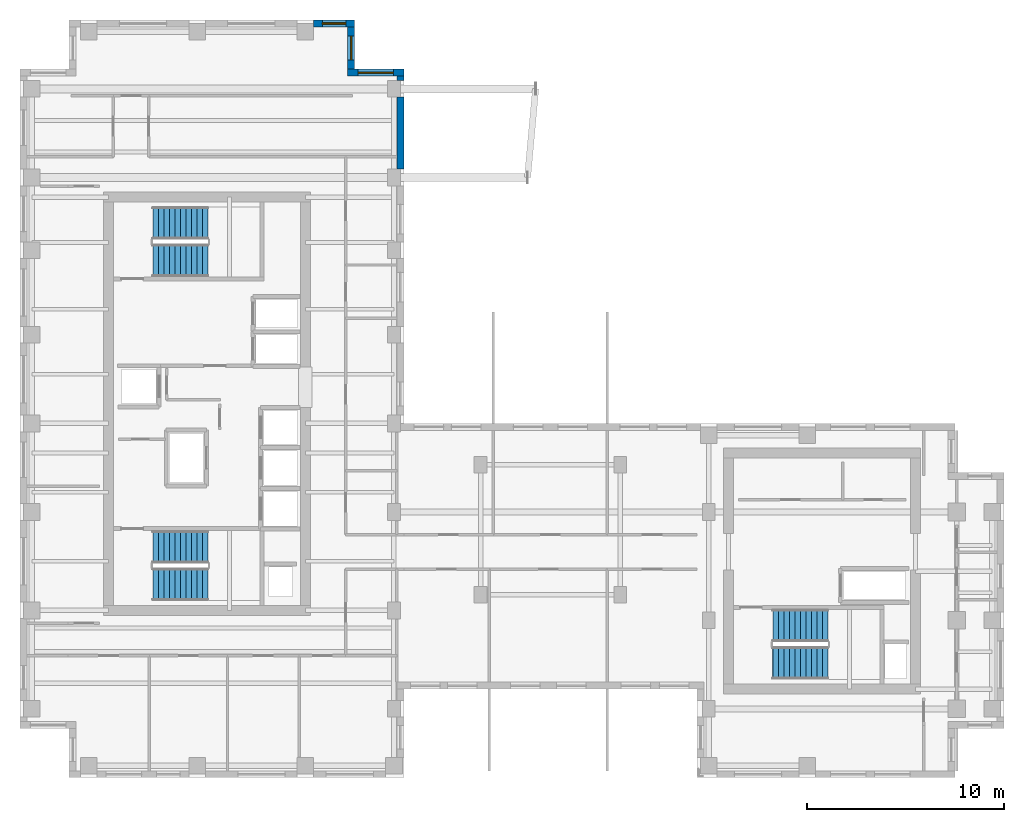
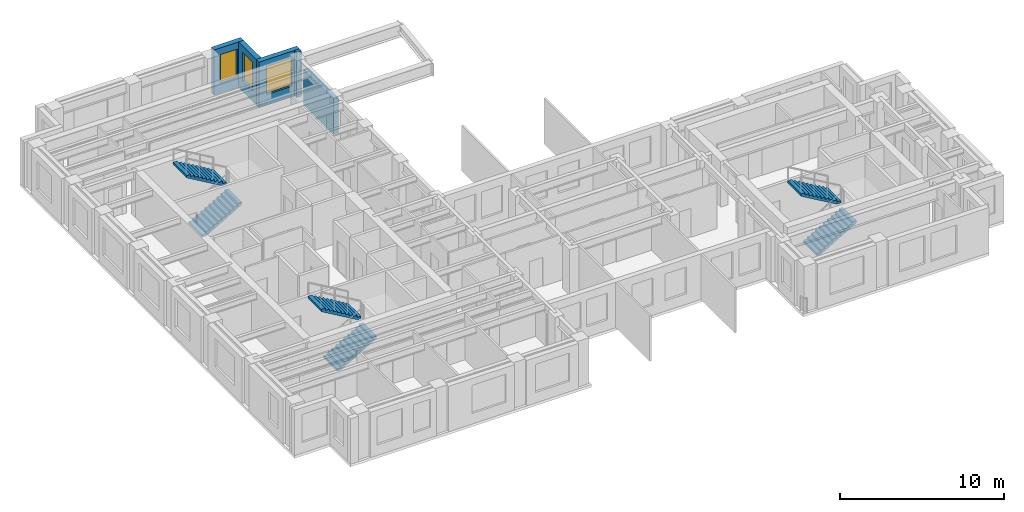
# One storey, part 9 of 11: 6 stair flights, 5 walls, 3 windows, 3 openings, 3 elements without a shape of their own.
"""IFC4 building model written with IfcOpenShell, lengths in metres."""

from ifc_helpers import new_model, si_unit, direction, frame, frame_2d, origin, place, context, subcontext, project, spatial, polyline, rectangle, outline, extrude, source, transform, mapped, material, layer, layer_set, type_object, element, fill, aggregate, save


model = new_model("IFC4")

# Units and contexts
model_context = context("Model", 3, precision=1e-05, world=origin(), true_north=direction((0.0, 1.0)))
body_context = subcontext(model_context, "Body", "Model", "MODEL_VIEW")
ifc_project = project(units=[si_unit("LENGTHUNIT", "METRE"), si_unit("AREAUNIT", "SQUARE_METRE"), si_unit("VOLUMEUNIT", "CUBIC_METRE"), si_unit("PLANEANGLEUNIT", "RADIAN"), si_unit("MASSUNIT", "GRAM", prefix="KILO")], contexts=[model_context])

# Site, building, storey
site_placement = place(None, origin())
site = spatial("IfcSite", under=ifc_project, at=site_placement, CompositionType="ELEMENT")
building_placement = place(site_placement, origin())
building = spatial("IfcBuilding", under=site, at=building_placement, Name="Kharzan Plaza Tower", CompositionType="ELEMENT")
storey_placement = place(building_placement, frame((0.0, 0.0, 219.60009765625)))
storey = spatial("IfcBuildingStorey", under=building, at=storey_placement, Name="L59", CompositionType="ELEMENT", Elevation=219.60009765625)

# Wall, opening, window
ifc_material_1 = material(Name="Concrete C40/50", Category="concrete")
ifc_layer = layer(ifc_material_1, 0.35009765625)
ifc_layer_set = layer_set([ifc_layer], Name="Concrete C40/50")
wall_type = type_object("IfcWallType", Name="WL-EXT-MAS-Z4", PredefinedType="SOLIDWALL", material=ifc_layer_set)
wall_1_placement = place(storey_placement, frame((19.5, 35.824951171875, 0.0), z_axis=(0.0, 0.0, 1.0), x_axis=(-1.0, 0.0, 0.0)))
wall_1 = element("IfcWall", 1, at=wall_1_placement, inside=storey, type_object=wall_type, Name="L59 Masonry-Frame Exterior Wall 01", PredefinedType="SOLIDWALL", context=body_context, shape_type="SweptSolid", body=[
    extrude(rectangle(XDim=2.85009765625, YDim=0.35009765625, at=frame_2d((1.425048828125, 0.0))), origin(), (0.0, 0.0, 1.0), 3.385009765625),
])
opening_1_placement = place(wall_1_placement, frame((0.52490234375, 0.0, 0.780029296875)))
opening_1 = element("IfcOpeningElement", 2, at=opening_1_placement, cuts=wall_1, Name="Opening W1", PredefinedType="OPENING", context=body_context, shape_type="SweptSolid", body=[
    extrude(rectangle(XDim=1.800048828125, YDim=2.10009765625, at=frame_2d((0.89990234375, 1.050048828125))), frame((0.0, 0.18505859375, 0.0), z_axis=(0.0, -1.0, 0.0), x_axis=(1.0, 0.0, 0.0)), (0.0, 0.0, 1.0), 0.3701171875),
])
ifc_material_2 = material(Name="Low-E Double Glazing", Category="glass")
window_type_1 = type_object("IfcWindowType", Name="WN-REC-1800x2100", PartitioningType="SINGLE_PANEL", PredefinedType="WINDOW", material=ifc_material_2)
shared_shape_1 = source(origin(), body_context, "Body", "SweptSolid", [
    extrude(rectangle(XDim=1.800048828125, YDim=2.10009765625, at=frame_2d((0.89990234375, 1.050048828125))), frame((0.0, 0.030029296875, 0.0), z_axis=(0.0, -1.0, 0.0), x_axis=(1.0, 0.0, 0.0)), (0.0, 0.0, 1.0), 0.06005859375),
])
window_1_placement = place(opening_1_placement, origin())
window_1 = element("IfcWindow", 3, at=window_1_placement, inside=storey, type_object=window_type_1, Name="L59 Recessed Solar-Control Window 01-1", OverallHeight=2.10009765625, OverallWidth=1.800048828125, PartitioningType="SINGLE_PANEL", PredefinedType="WINDOW", context=body_context, shape_type="MappedRepresentation", body=[
    mapped(shared_shape_1, transform((0.0, 0.0, 0.0), x_axis=(1.0, 0.0, 0.0), y_axis=(0.0, 1.0, 0.0), z_axis=(0.0, 0.0, 1.0))),
])
fill(opening_1, window_1)

wall_2_placement = place(storey_placement, frame((16.824951171875, 35.998046875, 0.0), z_axis=(0.0, 0.0, 1.0), x_axis=(0.0, 1.0, 0.0)))
wall_2 = element("IfcWall", 4, at=wall_2_placement, inside=storey, type_object=wall_type, Name="L59 Masonry-Frame Exterior Wall 02", PredefinedType="SOLIDWALL", context=body_context, shape_type="SweptSolid", body=[
    extrude(rectangle(XDim=2.154052734375, YDim=0.35009765625, at=frame_2d((1.0771484375, 0.0))), origin(), (0.0, 0.0, 1.0), 3.385009765625),
])
opening_2_placement = place(wall_2_placement, frame((0.47705078125, 0.0, 0.780029296875)))
opening_2 = element("IfcOpeningElement", 5, at=opening_2_placement, cuts=wall_2, Name="Opening W3", PredefinedType="OPENING", context=body_context, shape_type="SweptSolid", body=[
    extrude(rectangle(XDim=1.199951171875, YDim=2.10009765625, at=frame_2d((0.60009765625, 1.050048828125))), frame((0.0, 0.18505859375, 0.0), z_axis=(0.0, -1.0, 0.0), x_axis=(1.0, 0.0, 0.0)), (0.0, 0.0, 1.0), 0.3701171875),
])
window_type_2 = type_object("IfcWindowType", Name="WN-REC-1200x2100", PartitioningType="SINGLE_PANEL", PredefinedType="WINDOW", material=ifc_material_2)
shared_shape_2 = source(origin(), body_context, "Body", "SweptSolid", [
    extrude(rectangle(XDim=1.199951171875, YDim=2.10009765625, at=frame_2d((0.60009765625, 1.050048828125))), frame((0.0, 0.030029296875, 0.0), z_axis=(0.0, -1.0, 0.0), x_axis=(1.0, 0.0, 0.0)), (0.0, 0.0, 1.0), 0.06005859375),
])
window_2_placement = place(opening_2_placement, origin())
window_2 = element("IfcWindow", 6, at=window_2_placement, inside=storey, type_object=window_type_2, Name="L59 Recessed Solar-Control Window 02-1", OverallHeight=2.10009765625, OverallWidth=1.199951171875, PartitioningType="SINGLE_PANEL", PredefinedType="WINDOW", context=body_context, shape_type="MappedRepresentation", body=[
    mapped(shared_shape_2, transform((0.0, 0.0, 0.0), x_axis=(1.0, 0.0, 0.0), y_axis=(0.0, 1.0, 0.0), z_axis=(0.0, 0.0, 1.0))),
])
fill(opening_2, window_2)

wall_3_placement = place(storey_placement, frame((17.0, 38.324951171875, 0.0), z_axis=(0.0, 0.0, 1.0), x_axis=(-1.0, 0.0, 0.0)))
wall_3 = element("IfcWall", 7, at=wall_3_placement, inside=storey, type_object=wall_type, Name="L59 Masonry-Frame Exterior Wall 03", PredefinedType="SOLIDWALL", context=body_context, shape_type="SweptSolid", body=[
    extrude(rectangle(XDim=2.076904296875, YDim=0.35009765625, at=frame_2d((1.03857421875, 0.0))), origin(), (0.0, 0.0, 1.0), 3.385009765625),
])
opening_3_placement = place(wall_3_placement, frame((0.4384765625, 0.0, 0.780029296875)))
opening_3 = element("IfcOpeningElement", 8, at=opening_3_placement, cuts=wall_3, Name="Opening W3", PredefinedType="OPENING", context=body_context, shape_type="SweptSolid", body=[
    extrude(rectangle(XDim=1.199951171875, YDim=2.10009765625, at=frame_2d((0.60009765625, 1.050048828125))), frame((0.0, 0.18505859375, 0.0), z_axis=(0.0, -1.0, 0.0), x_axis=(1.0, 0.0, 0.0)), (0.0, 0.0, 1.0), 0.3701171875),
])
window_3_placement = place(opening_3_placement, origin())
window_3 = element("IfcWindow", 9, at=window_3_placement, inside=storey, type_object=window_type_2, Name="L59 Recessed Solar-Control Window 03-1", OverallHeight=2.10009765625, OverallWidth=1.199951171875, PartitioningType="SINGLE_PANEL", PredefinedType="WINDOW", context=body_context, shape_type="MappedRepresentation", body=[
    mapped(shared_shape_2, transform((0.0, 0.0, 0.0), x_axis=(1.0, 0.0, 0.0), y_axis=(0.0, 1.0, 0.0), z_axis=(0.0, 0.0, 1.0))),
])
fill(opening_3, window_3)

# Walls
shared_shape_3 = source(origin(), body_context, "Body", "SweptSolid", [
    extrude(rectangle(XDim=0.22900390625, YDim=0.35009765625, at=frame_2d((0.114501953125, 0.0))), origin(), (0.0, 0.0, 1.0), 3.385009765625),
])
wall_4_placement = place(storey_placement, frame((19.324951171875, 35.423095703125, 0.0), z_axis=(0.0, 0.0, 1.0), x_axis=(0.0, 1.0, 0.0)))
element("IfcWall", 10, at=wall_4_placement, inside=storey, type_object=wall_type, Name="L59 Masonry-Frame Exterior Wall 46", PredefinedType="SOLIDWALL", context=body_context, shape_type="MappedRepresentation", body=[
    mapped(shared_shape_3, transform((0.0, 0.0, 0.0), x_axis=(1.0, 0.0, 0.0), y_axis=(0.0, 1.0, 0.0), z_axis=(0.0, 0.0, 1.0))),
])
shared_shape_4 = source(origin(), body_context, "Body", "SweptSolid", [
    extrude(rectangle(XDim=3.65380859375, YDim=0.35009765625, at=frame_2d((1.826904296875, 0.0))), origin(), (0.0, 0.0, 1.0), 2.618896484375),
])
wall_5_placement = place(storey_placement, frame((19.324951171875, 30.923095703125, 0.0), z_axis=(0.0, 0.0, 1.0), x_axis=(0.0, 1.0, 0.0)))
element("IfcWall", 11, at=wall_5_placement, inside=storey, type_object=wall_type, Name="L59 Masonry-Frame Exterior Wall 45", PredefinedType="SOLIDWALL", context=body_context, shape_type="MappedRepresentation", body=[
    mapped(shared_shape_4, transform((0.0, 0.0, 0.0), x_axis=(1.0, 0.0, 0.0), y_axis=(0.0, 1.0, 0.0), z_axis=(0.0, 0.0, 1.0))),
])

# Stair, stair flights
stair_type_1 = type_object("IfcStairType", Name="STR-ST-1", PredefinedType="HALF_TURN_STAIR", material=ifc_material_1)
stair_1_placement = place(storey_placement, origin())
stair_1 = element("IfcStair", 12, at=stair_1_placement, inside=storey, type_object=stair_type_1, Name="L59 Protected Exit Stair ST-1", PredefinedType="HALF_TURN_STAIR")
stair_flight_type = type_object("IfcStairFlightType", Name="SFL-1650-R173", PredefinedType="STRAIGHT", material=ifc_material_1)
shared_shape_5 = source(origin(), body_context, "Body", "SweptSolid", [
    extrude(outline(polyline([(-0.0029296875, -0.011962890625), (-0.0029296875, 0.0), (0.0, 0.0), (0.0, 0.16357421875), (0.280029296875, 0.16357421875), (0.280029296875, 0.3271484375), (0.56005859375, 0.3271484375), (0.56005859375, 0.49072265625), (0.840087890625, 0.49072265625), (0.840087890625, 0.654296875), (1.1201171875, 0.654296875), (1.1201171875, 0.81787109375), (1.400146484375, 0.81787109375), (1.400146484375, 0.9814453125), (1.68017578125, 0.9814453125), (1.68017578125, 1.14501953125), (1.960205078125, 1.14501953125), (1.960205078125, 1.30859375), (2.240234375, 1.30859375), (2.240234375, 1.47216796875), (2.520263671875, 1.47216796875), (2.520263671875, 1.6357421875), (2.80029296875, 1.6357421875), (2.80029296875, 1.79931640625), (2.80029296875, 1.462158203125), (0.297119140625, 0.0), (0.297119140625, -0.011962890625), (-0.0029296875, -0.011962890625)])), frame((0.0, 0.824951171875, 0.0), z_axis=(0.0, -1.0, 0.0), x_axis=(1.0, 0.0, 0.0)), (0.0, 0.0, 1.0), 1.64990234375),
])
stair_flight_1_placement = place(storey_placement, frame((6.75, 9.824951171875, 0.0), z_axis=(0.0, 0.0, 1.0), x_axis=(1.0, 0.0, 0.0)))
stair_flight_1 = element("IfcStairFlight", 13, at=stair_flight_1_placement, type_object=stair_flight_type, Name="ST-1 flight 1", NumberOfRisers=11, NumberOfTreads=10, PredefinedType="STRAIGHT", RiserHeight=0.163636364, TreadLength=0.28, context=body_context, shape_type="MappedRepresentation", body=[
    mapped(shared_shape_5, transform((0.0, 0.0, 0.0), x_axis=(1.0, 0.0, 0.0), y_axis=(0.0, 1.0, 0.0), z_axis=(0.0, 0.0, 1.0))),
])
stair_flight_2_placement = place(storey_placement, frame((9.550048828125, 11.72509765625, 1.7998046875), z_axis=(0.0, 0.0, 1.0), x_axis=(-1.0, 0.0, 0.0)))
stair_flight_2 = element("IfcStairFlight", 14, at=stair_flight_2_placement, type_object=stair_flight_type, Name="ST-1 flight 2", NumberOfRisers=11, NumberOfTreads=10, PredefinedType="STRAIGHT", RiserHeight=0.163636364, TreadLength=0.28, context=body_context, shape_type="MappedRepresentation", body=[
    mapped(shared_shape_5, transform((0.0, 0.0, 0.0), x_axis=(1.0, 0.0, 0.0), y_axis=(0.0, 1.0, 0.0), z_axis=(0.0, 0.0, 1.0))),
])
aggregate(stair_1, [stair_flight_1, stair_flight_2])

stair_type_2 = type_object("IfcStairType", Name="STR-ST-2", PredefinedType="HALF_TURN_STAIR", material=ifc_material_1)
stair_2_placement = place(storey_placement, origin())
stair_2 = element("IfcStair", 15, at=stair_2_placement, inside=storey, type_object=stair_type_2, Name="L59 Protected Exit Stair ST-2", PredefinedType="HALF_TURN_STAIR")
stair_flight_3_placement = place(storey_placement, frame((6.75, 26.27490234375, 0.0), z_axis=(0.0, 0.0, 1.0), x_axis=(1.0, 0.0, 0.0)))
stair_flight_3 = element("IfcStairFlight", 16, at=stair_flight_3_placement, type_object=stair_flight_type, Name="ST-2 flight 1", NumberOfRisers=11, NumberOfTreads=10, PredefinedType="STRAIGHT", RiserHeight=0.163636364, TreadLength=0.28, context=body_context, shape_type="MappedRepresentation", body=[
    mapped(shared_shape_5, transform((0.0, 0.0, 0.0), x_axis=(1.0, 0.0, 0.0), y_axis=(0.0, 1.0, 0.0), z_axis=(0.0, 0.0, 1.0))),
])
stair_flight_4_placement = place(storey_placement, frame((9.550048828125, 28.175048828125, 1.7998046875), z_axis=(0.0, 0.0, 1.0), x_axis=(-1.0, 0.0, 0.0)))
stair_flight_4 = element("IfcStairFlight", 17, at=stair_flight_4_placement, type_object=stair_flight_type, Name="ST-2 flight 2", NumberOfRisers=11, NumberOfTreads=10, PredefinedType="STRAIGHT", RiserHeight=0.163636364, TreadLength=0.28, context=body_context, shape_type="MappedRepresentation", body=[
    mapped(shared_shape_5, transform((0.0, 0.0, 0.0), x_axis=(1.0, 0.0, 0.0), y_axis=(0.0, 1.0, 0.0), z_axis=(0.0, 0.0, 1.0))),
])
aggregate(stair_2, [stair_flight_3, stair_flight_4])

stair_type_3 = type_object("IfcStairType", Name="STR-ST-3", PredefinedType="HALF_TURN_STAIR", material=ifc_material_1)
stair_3_placement = place(storey_placement, origin())
stair_3 = element("IfcStair", 18, at=stair_3_placement, inside=storey, type_object=stair_type_3, Name="L59 Protected Exit Stair ST-3", PredefinedType="HALF_TURN_STAIR")
stair_flight_5_placement = place(storey_placement, frame((38.25, 5.824951171875, 0.0), z_axis=(0.0, 0.0, 1.0), x_axis=(1.0, 0.0, 0.0)))
stair_flight_5 = element("IfcStairFlight", 19, at=stair_flight_5_placement, type_object=stair_flight_type, Name="ST-3 flight 1", NumberOfRisers=11, NumberOfTreads=10, PredefinedType="STRAIGHT", RiserHeight=0.163636364, TreadLength=0.28, context=body_context, shape_type="MappedRepresentation", body=[
    mapped(shared_shape_5, transform((0.0, 0.0, 0.0), x_axis=(1.0, 0.0, 0.0), y_axis=(0.0, 1.0, 0.0), z_axis=(0.0, 0.0, 1.0))),
])
stair_flight_6_placement = place(storey_placement, frame((41.050048828125, 7.72509765625, 1.7998046875), z_axis=(0.0, 0.0, 1.0), x_axis=(-1.0, 0.0, 0.0)))
stair_flight_6 = element("IfcStairFlight", 20, at=stair_flight_6_placement, type_object=stair_flight_type, Name="ST-3 flight 2", NumberOfRisers=11, NumberOfTreads=10, PredefinedType="STRAIGHT", RiserHeight=0.163636364, TreadLength=0.28, context=body_context, shape_type="MappedRepresentation", body=[
    mapped(shared_shape_5, transform((0.0, 0.0, 0.0), x_axis=(1.0, 0.0, 0.0), y_axis=(0.0, 1.0, 0.0), z_axis=(0.0, 0.0, 1.0))),
])
aggregate(stair_3, [stair_flight_5, stair_flight_6])

save(model, "model.ifc")
